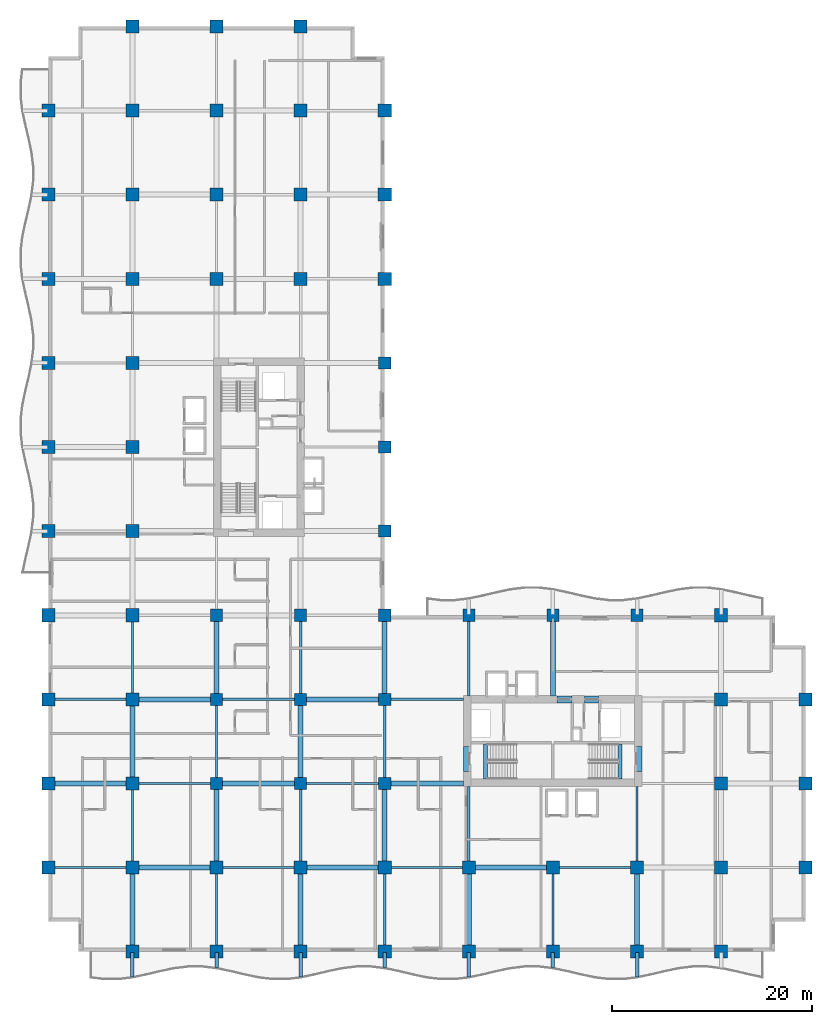
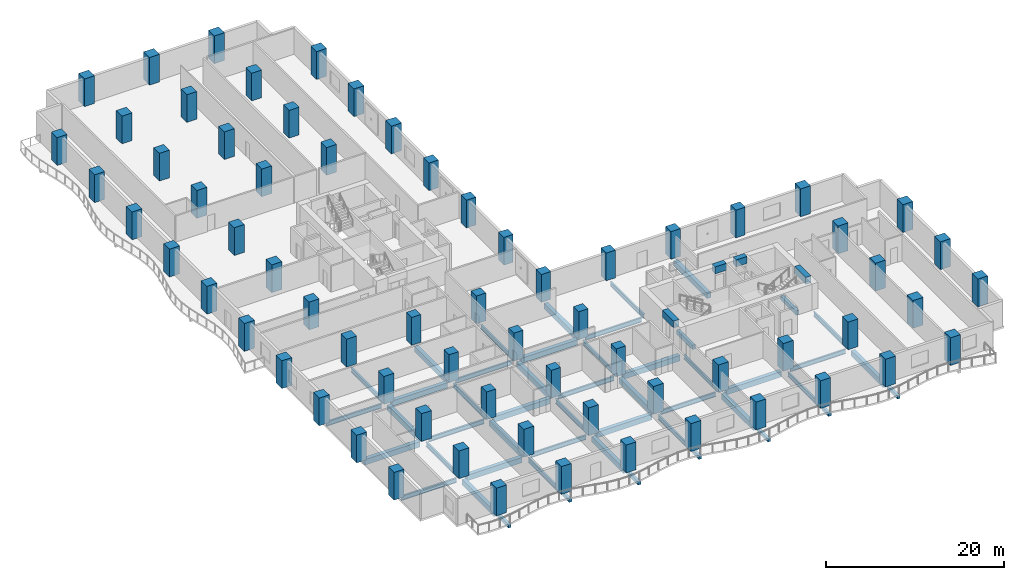
# One storey, part 1 of 18: 68 columns, 53 beams.
"""IFC4 building model written with IfcOpenShell, lengths in metres."""

import ifcopenshell
import ifcopenshell.guid

model = None  # the IFC model being written
_history = None  # IfcOwnerHistory: only IFC2X3 demands one
_inside = {}  # id of a spatial element -> (the spatial element, [elements in it])
_under = {}  # id of a project, library or spatial element -> (it, [spatial elements below it])
_declared = {}  # id of a project -> (the project, [libraries it declares])
_typed = {}  # id of a type object -> (the type object, [elements of that type])
_made_of = {}  # id of a material, layer set ... -> (it, [elements and type objects made of it])


def new_model(schema):
    """Start an empty IFC model of exactly this schema.

    Asked for "IFC4X3", IfcOpenShell would pick the latest addendum, in which some entities
    have other attributes; the version numbers below select the first issue.
    IFC2X3 requires an IfcOwnerHistory on every rooted entity: one is made here for all.
    """
    global model, _history
    if schema == "IFC4X3":
        model = ifcopenshell.file(schema_version=(4, 3, 0, 0))
    else:
        model = ifcopenshell.file(schema=schema)
    _inside.clear()
    _under.clear()
    _declared.clear()
    _typed.clear()
    _made_of.clear()
    _history = None
    if model.schema == "IFC2X3":
        org = make("IfcOrganization", Name="unknown")
        user = make(
            "IfcPersonAndOrganization",
            ThePerson=make("IfcPerson", FamilyName="unknown"),
            TheOrganization=org,
        )
        app = make(
            "IfcApplication",
            ApplicationDeveloper=org,
            Version="unknown",
            ApplicationFullName="unknown",
            ApplicationIdentifier="unknown",
        )
        _history = make(
            "IfcOwnerHistory",
            OwningUser=user,
            OwningApplication=app,
            ChangeAction="ADDED",
            CreationDate=0,
        )
    return model


def make(cls, **values):
    """One entity of the class cls with the attributes given. An attribute that is None is left unset."""
    return model.create_entity(
        cls, **{name: value for name, value in values.items() if value is not None}
    )


def rooted(cls, **values):
    """An entity with a GlobalId (a new one), such as an element, a storey or a relation."""
    return make(cls, GlobalId=ifcopenshell.guid.new(), OwnerHistory=_history, **values)


def si_unit(unit_type, name, prefix=None):
    """IfcSIUnit, for example si_unit("LENGTHUNIT", "METRE", prefix="MILLI")."""
    return make("IfcSIUnit", UnitType=unit_type, Prefix=prefix, Name=name)


def assignment(units):
    """IfcUnitAssignment: the units of a project."""
    return None if units is None else make("IfcUnitAssignment", Units=units)


def point(xyz):
    """IfcCartesianPoint."""
    return None if xyz is None else make("IfcCartesianPoint", Coordinates=xyz)


def direction(xyz):
    """IfcDirection."""
    return None if xyz is None else make("IfcDirection", DirectionRatios=xyz)


def frame(location, z_axis=None, x_axis=None):
    """IfcAxis2Placement3D, a coordinate frame: its origin and axes. An axis left out is left unset."""
    return make(
        "IfcAxis2Placement3D",
        Location=point(location),
        Axis=direction(z_axis),
        RefDirection=direction(x_axis),
    )


def frame_2d(location, x_axis=None):
    """IfcAxis2Placement2D, a coordinate frame in the plane: its origin and x axis."""
    return make(
        "IfcAxis2Placement2D", Location=point(location), RefDirection=direction(x_axis)
    )


def origin():
    """The frame at (0, 0, 0) with its axes left unset."""
    return frame((0.0, 0.0, 0.0))


def origin_2d():
    """The frame at (0, 0) in the plane with its x axis left unset."""
    return frame_2d((0.0, 0.0))


def place(relative_to, where):
    """IfcLocalPlacement: puts the frame where relative to a parent placement (None: the world)."""
    return make(
        "IfcLocalPlacement", PlacementRelTo=relative_to, RelativePlacement=where
    )


def context(
    kind, dimensions, precision=None, world=None, true_north=None, identifier=None
):
    """IfcGeometricRepresentationContext, for example the 3D "Model" context."""
    return make(
        "IfcGeometricRepresentationContext",
        ContextIdentifier=identifier,
        ContextType=kind,
        CoordinateSpaceDimension=dimensions,
        Precision=precision,
        WorldCoordinateSystem=world,
        TrueNorth=true_north,
    )


def subcontext(parent, identifier, kind, view, scale=None):
    """IfcGeometricRepresentationSubContext, for example "Body" below "Model"."""
    return make(
        "IfcGeometricRepresentationSubContext",
        ContextIdentifier=identifier,
        ContextType=kind,
        ParentContext=parent,
        TargetScale=scale,
        TargetView=view,
    )


def project(units=None, contexts=None):
    """IfcProject with its units and contexts."""
    return rooted(
        "IfcProject",
        Name="project",
        RepresentationContexts=contexts,
        UnitsInContext=assignment(units),
    )


def spatial(cls, under=None, at=None, **own):
    """A site, building, storey or space (cls), placed at a placement, below another one or the project."""
    s = rooted(cls, ObjectPlacement=at, **own)
    if under is not None:
        _under.setdefault(under.id(), (under, []))[1].append(s)
    return s


def profile(cls, at=None, kind="AREA", **sizes):
    """A parametric profile (cls). Its sizes go by their IFC names, for example OverallWidth=200.0."""
    return make(cls, ProfileType=kind, Position=at, **sizes)


def rectangle(**sizes):
    """IfcRectangleProfileDef."""
    return profile("IfcRectangleProfileDef", **sizes)


def i_section(**sizes):
    """IfcIShapeProfileDef."""
    return profile("IfcIShapeProfileDef", **sizes)


def extrude(swept, where, along, depth):
    """IfcExtrudedAreaSolid: the profile swept, set in the frame where, extruded along a direction by depth."""
    return make(
        "IfcExtrudedAreaSolid",
        SweptArea=swept,
        Position=where,
        ExtrudedDirection=direction(along),
        Depth=depth,
    )


def shape(context_of_items, identifier, shape_type, items):
    """IfcShapeRepresentation: the items that make up one representation, for example the "Body"."""
    return make(
        "IfcShapeRepresentation",
        ContextOfItems=context_of_items,
        RepresentationIdentifier=identifier,
        RepresentationType=shape_type,
        Items=items,
    )


def material(Name=None, Category=None):
    """IfcMaterial."""
    return make("IfcMaterial", Name=Name, Category=Category)


def material_profile(
    of_material, cross_section, Name=None, Category=None, Priority=None
):
    """IfcMaterialProfile: a cross section and its material."""
    return make(
        "IfcMaterialProfile",
        Name=Name,
        Material=of_material,
        Profile=cross_section,
        Priority=Priority,
        Category=Category,
    )


def profile_set(profiles, Name=None, composite=None):
    """IfcMaterialProfileSet."""
    return make(
        "IfcMaterialProfileSet",
        Name=Name,
        MaterialProfiles=profiles,
        CompositeProfile=composite,
    )


def made_of(thing, what):
    """Note that an element or type object is made of a material, layer set ...; save() writes the relation."""
    if what is not None:
        _made_of.setdefault(what.id(), (what, []))[1].append(thing)
    return thing


def type_object(cls, material=None, **own):
    """A type object (cls), such as IfcWallType, which elements share."""
    return made_of(rooted(cls, **own), material)


def element(
    cls,
    number,
    at=None,
    inside=None,
    cuts=None,
    type_object=None,
    material=None,
    context=None,
    identifier="Body",
    shape_type=None,
    held_by="IfcProductDefinitionShape",
    body=None,
    shapes=None,
    **own,
):
    """One element of the class cls, such as IfcWall. Its Tag is "e" and its number.

    at: its placement. inside: the storey or other place that contains it. cuts: it is an
    opening in that element (IfcRelVoidsElement). A single representation is given by context,
    identifier, shape_type and body (its items); several are given by shapes. held_by: the class
    of the entity that holds the representations. save() writes the other relations.
    """
    e = rooted(cls, Tag="e%d" % number, ObjectPlacement=at, **own)
    if body is not None:
        shapes = [shape(context, identifier, shape_type, body)]
    if shapes is not None:
        e.Representation = make(held_by, Representations=shapes)
    if inside is not None:
        _inside.setdefault(inside.id(), (inside, []))[1].append(e)
    if cuts is not None:
        rooted(
            "IfcRelVoidsElement", RelatingBuildingElement=cuts, RelatedOpeningElement=e
        )
    if type_object is not None:
        _typed.setdefault(type_object.id(), (type_object, []))[1].append(e)
    return made_of(e, material)


def aggregate(whole, parts):
    """IfcRelAggregates: a whole, such as a stair, and the parts it consists of."""
    return rooted("IfcRelAggregates", RelatingObject=whole, RelatedObjects=parts)


def save(model, path):
    """Write the relations noted so far, then the file.

    IfcRelAggregates (storeys below a building ...), IfcRelContainedInSpatialStructure (elements
    in a storey), IfcRelDefinesByType, IfcRelAssociatesMaterial and IfcRelDeclares: one each for
    every whole, place, type object, material and project.
    """
    for whole, parts in _under.values():
        aggregate(whole, parts)
    for where, things in _inside.values():
        rooted(
            "IfcRelContainedInSpatialStructure",
            RelatedElements=things,
            RelatingStructure=where,
        )
    for kind, things in _typed.values():
        rooted("IfcRelDefinesByType", RelatedObjects=things, RelatingType=kind)
    for what, things in _made_of.values():
        rooted("IfcRelAssociatesMaterial", RelatedObjects=things, RelatingMaterial=what)
    for by, libraries in _declared.values():
        rooted("IfcRelDeclares", RelatingContext=by, RelatedDefinitions=libraries)
    model.write(path)


model = new_model("IFC4")

# Units and contexts
model_context = context("Model", 3, precision=1e-05, world=origin(), true_north=direction((0.0, 1.0)))
body_context = subcontext(model_context, "Body", "Model", "MODEL_VIEW")
ifc_project = project(units=[si_unit("LENGTHUNIT", "METRE"), si_unit("AREAUNIT", "SQUARE_METRE"), si_unit("VOLUMEUNIT", "CUBIC_METRE"), si_unit("PLANEANGLEUNIT", "RADIAN"), si_unit("MASSUNIT", "GRAM", prefix="KILO")], contexts=[model_context])

# Site, building, storey
site_placement = place(None, origin())
site = spatial("IfcSite", under=ifc_project, at=site_placement, CompositionType="ELEMENT")
building_placement = place(site_placement, origin())
building = spatial("IfcBuilding", under=site, at=building_placement, Name="Koriwani Terraces Tower", CompositionType="ELEMENT")
storey_placement = place(building_placement, frame((0.0, 0.0, 115.199951171875)))
storey = spatial("IfcBuildingStorey", under=building, at=storey_placement, Name="L27", CompositionType="ELEMENT", Elevation=115.199951171875)

# Columns
ifc_material_1 = material(Name="Concrete C60/75", Category="concrete")
ifc_material_profile_1 = material_profile(ifc_material_1, rectangle(XDim=1.199951171875, YDim=1.199951171875, at=origin_2d()), Name="Concrete C60/75", Category="LoadBearing")
ifc_profile_set_1 = profile_set([ifc_material_profile_1], Name="Concrete C60/75")
column_type_1 = type_object("IfcColumnType", Name="COL_RC_1200X1200", PredefinedType="COLUMN", material=ifc_profile_set_1)
for number, where, z_axis, x_axis, name in (
    (1, (16.800048828125, 16.800048828125, 0.0), (0.0, 0.0, 1.0), (1.0, 0.0, 0.0), "L27 Column 3/C"),
    (2, (16.800048828125, 25.199951171875, 0.0), (0.0, 0.0, 1.0), (1.0, 0.0, 0.0), "L27 Column 3/D"),
    (3, (16.800048828125, 33.60009765625, 0.0), (0.0, 0.0, 1.0), (1.0, 0.0, 0.0), "L27 Column 3/E"),
    (4, (25.199951171875, 16.800048828125, 0.0), (0.0, 0.0, 1.0), (1.0, 0.0, 0.0), "L27 Column 4/C"),
    (5, (25.199951171875, 25.199951171875, 0.0), (0.0, 0.0, 1.0), (1.0, 0.0, 0.0), "L27 Column 4/D"),
    (6, (25.199951171875, 33.60009765625, 0.0), (0.0, 0.0, 1.0), (1.0, 0.0, 0.0), "L27 Column 4/E"),
    (7, (33.60009765625, 16.800048828125, 0.0), (0.0, 0.0, 1.0), (1.0, 0.0, 0.0), "L27 Column 5/C"),
    (8, (33.60009765625, 25.199951171875, 0.0), (0.0, 0.0, 1.0), (1.0, 0.0, 0.0), "L27 Column 5/D"),
    (9, (33.60009765625, 33.60009765625, 0.0), (0.0, 0.0, 1.0), (1.0, 0.0, 0.0), "L27 Column 5/E"),
    (10, (33.60009765625, 42.0, 0.0), (0.0, 0.0, 1.0), (1.0, 0.0, 0.0), "L27 Column 5/F"),
    (11, (33.60009765625, 50.39990234375, 0.0), (0.0, 0.0, 1.0), (1.0, 0.0, 0.0), "L27 Column 5/G"),
    (12, (33.60009765625, 58.800048828125, 0.0), (0.0, 0.0, 1.0), (1.0, 0.0, 0.0), "L27 Column 5/H"),
    (13, (42.0, 33.60009765625, 0.0), (0.0, 0.0, 1.0), (1.0, 0.0, 0.0), "L27 Column 6/E"),
    (14, (50.39990234375, 33.60009765625, 0.0), (0.0, 0.0, 1.0), (1.0, 0.0, 0.0), "L27 Column 7/E"),
    (15, (58.800048828125, 33.60009765625, 0.0), (0.0, 0.0, 1.0), (1.0, 0.0, 0.0), "L27 Column 8/E"),
):
    element("IfcColumn", number, at=place(storey_placement, frame(where, z_axis=z_axis, x_axis=x_axis)), inside=storey, type_object=column_type_1, Name=name, PredefinedType="COLUMN", context=body_context, shape_type="SweptSolid", body=[
        extrude(rectangle(XDim=1.199951171875, YDim=1.199951171875, at=origin_2d()), origin(), (0.0, 0.0, 1.0), 3.800048828125),
    ])
ifc_material_profile_2 = material_profile(ifc_material_1, rectangle(XDim=1.300048828125, YDim=1.300048828125, at=origin_2d()), Name="Concrete C60/75", Category="LoadBearing")
ifc_profile_set_2 = profile_set([ifc_material_profile_2], Name="Concrete C60/75")
column_type_2 = type_object("IfcColumnType", Name="COL_RC_1300X1300", PredefinedType="COLUMN", material=ifc_profile_set_2)
for number, where, z_axis, x_axis, name in (
    (16, (0.0, 8.39990234375, 0.0), (0.0, 0.0, 1.0), (1.0, 0.0, 0.0), "L27 Column 1/B"),
    (17, (0.0, 16.800048828125, 0.0), (0.0, 0.0, 1.0), (1.0, 0.0, 0.0), "L27 Column 1/C"),
    (18, (0.0, 25.199951171875, 0.0), (0.0, 0.0, 1.0), (1.0, 0.0, 0.0), "L27 Column 1/D"),
    (19, (0.0, 33.60009765625, 0.0), (0.0, 0.0, 1.0), (1.0, 0.0, 0.0), "L27 Column 1/E"),
    (20, (0.0, 42.0, 0.0), (0.0, 0.0, 1.0), (1.0, 0.0, 0.0), "L27 Column 1/F"),
    (21, (0.0, 50.39990234375, 0.0), (0.0, 0.0, 1.0), (1.0, 0.0, 0.0), "L27 Column 1/G"),
    (22, (0.0, 58.800048828125, 0.0), (0.0, 0.0, 1.0), (1.0, 0.0, 0.0), "L27 Column 1/H"),
    (23, (0.0, 67.199951171875, 0.0), (0.0, 0.0, 1.0), (1.0, 0.0, 0.0), "L27 Column 1/I"),
    (24, (0.0, 75.60009765625, 0.0), (0.0, 0.0, 1.0), (1.0, 0.0, 0.0), "L27 Column 1/J"),
    (25, (0.0, 84.0, 0.0), (0.0, 0.0, 1.0), (1.0, 0.0, 0.0), "L27 Column 1/K"),
    (26, (8.39990234375, 0.0, 0.0), (0.0, 0.0, 1.0), (1.0, 0.0, 0.0), "L27 Column 2/A"),
    (27, (8.39990234375, 8.39990234375, 0.0), (0.0, 0.0, 1.0), (1.0, 0.0, 0.0), "L27 Column 2/B"),
    (28, (8.39990234375, 16.800048828125, 0.0), (0.0, 0.0, 1.0), (1.0, 0.0, 0.0), "L27 Column 2/C"),
    (29, (8.39990234375, 25.199951171875, 0.0), (0.0, 0.0, 1.0), (1.0, 0.0, 0.0), "L27 Column 2/D"),
    (30, (8.39990234375, 33.60009765625, 0.0), (0.0, 0.0, 1.0), (1.0, 0.0, 0.0), "L27 Column 2/E"),
    (31, (8.39990234375, 42.0, 0.0), (0.0, 0.0, 1.0), (1.0, 0.0, 0.0), "L27 Column 2/F"),
    (32, (8.39990234375, 50.39990234375, 0.0), (0.0, 0.0, 1.0), (1.0, 0.0, 0.0), "L27 Column 2/G"),
    (33, (8.39990234375, 58.800048828125, 0.0), (0.0, 0.0, 1.0), (1.0, 0.0, 0.0), "L27 Column 2/H"),
    (34, (8.39990234375, 67.199951171875, 0.0), (0.0, 0.0, 1.0), (1.0, 0.0, 0.0), "L27 Column 2/I"),
    (35, (8.39990234375, 75.60009765625, 0.0), (0.0, 0.0, 1.0), (1.0, 0.0, 0.0), "L27 Column 2/J"),
    (36, (8.39990234375, 84.0, 0.0), (0.0, 0.0, 1.0), (1.0, 0.0, 0.0), "L27 Column 2/K"),
    (37, (8.39990234375, 92.39990234375, 0.0), (0.0, 0.0, 1.0), (1.0, 0.0, 0.0), "L27 Column 2/L"),
    (38, (16.800048828125, 0.0, 0.0), (0.0, 0.0, 1.0), (1.0, 0.0, 0.0), "L27 Column 3/A"),
    (39, (16.800048828125, 8.39990234375, 0.0), (0.0, 0.0, 1.0), (1.0, 0.0, 0.0), "L27 Column 3/B"),
    (40, (16.800048828125, 67.199951171875, 0.0), (0.0, 0.0, 1.0), (1.0, 0.0, 0.0), "L27 Column 3/I"),
    (41, (16.800048828125, 75.60009765625, 0.0), (0.0, 0.0, 1.0), (1.0, 0.0, 0.0), "L27 Column 3/J"),
    (42, (16.800048828125, 84.0, 0.0), (0.0, 0.0, 1.0), (1.0, 0.0, 0.0), "L27 Column 3/K"),
    (43, (16.800048828125, 92.39990234375, 0.0), (0.0, 0.0, 1.0), (1.0, 0.0, 0.0), "L27 Column 3/L"),
    (44, (25.199951171875, 0.0, 0.0), (0.0, 0.0, 1.0), (1.0, 0.0, 0.0), "L27 Column 4/A"),
    (45, (25.199951171875, 8.39990234375, 0.0), (0.0, 0.0, 1.0), (1.0, 0.0, 0.0), "L27 Column 4/B"),
    (46, (25.199951171875, 67.199951171875, 0.0), (0.0, 0.0, 1.0), (1.0, 0.0, 0.0), "L27 Column 4/I"),
    (47, (25.199951171875, 75.60009765625, 0.0), (0.0, 0.0, 1.0), (1.0, 0.0, 0.0), "L27 Column 4/J"),
    (48, (25.199951171875, 84.0, 0.0), (0.0, 0.0, 1.0), (1.0, 0.0, 0.0), "L27 Column 4/K"),
    (49, (25.199951171875, 92.39990234375, 0.0), (0.0, 0.0, 1.0), (1.0, 0.0, 0.0), "L27 Column 4/L"),
    (50, (33.60009765625, 0.0, 0.0), (0.0, 0.0, 1.0), (1.0, 0.0, 0.0), "L27 Column 5/A"),
    (51, (33.60009765625, 8.39990234375, 0.0), (0.0, 0.0, 1.0), (1.0, 0.0, 0.0), "L27 Column 5/B"),
    (52, (33.60009765625, 67.199951171875, 0.0), (0.0, 0.0, 1.0), (1.0, 0.0, 0.0), "L27 Column 5/I"),
    (53, (33.60009765625, 75.60009765625, 0.0), (0.0, 0.0, 1.0), (1.0, 0.0, 0.0), "L27 Column 5/J"),
    (54, (33.60009765625, 84.0, 0.0), (0.0, 0.0, 1.0), (1.0, 0.0, 0.0), "L27 Column 5/K"),
    (55, (42.0, 0.0, 0.0), (0.0, 0.0, 1.0), (1.0, 0.0, 0.0), "L27 Column 6/A"),
    (56, (42.0, 8.39990234375, 0.0), (0.0, 0.0, 1.0), (1.0, 0.0, 0.0), "L27 Column 6/B"),
    (57, (50.39990234375, 0.0, 0.0), (0.0, 0.0, 1.0), (1.0, 0.0, 0.0), "L27 Column 7/A"),
    (58, (50.39990234375, 8.39990234375, 0.0), (0.0, 0.0, 1.0), (1.0, 0.0, 0.0), "L27 Column 7/B"),
    (59, (58.800048828125, 0.0, 0.0), (0.0, 0.0, 1.0), (1.0, 0.0, 0.0), "L27 Column 8/A"),
    (60, (58.800048828125, 8.39990234375, 0.0), (0.0, 0.0, 1.0), (1.0, 0.0, 0.0), "L27 Column 8/B"),
    (61, (67.199951171875, 0.0, 0.0), (0.0, 0.0, 1.0), (1.0, 0.0, 0.0), "L27 Column 9/A"),
    (62, (67.199951171875, 8.39990234375, 0.0), (0.0, 0.0, 1.0), (1.0, 0.0, 0.0), "L27 Column 9/B"),
    (63, (67.199951171875, 16.800048828125, 0.0), (0.0, 0.0, 1.0), (1.0, 0.0, 0.0), "L27 Column 9/C"),
    (64, (67.199951171875, 25.199951171875, 0.0), (0.0, 0.0, 1.0), (1.0, 0.0, 0.0), "L27 Column 9/D"),
    (65, (67.199951171875, 33.60009765625, 0.0), (0.0, 0.0, 1.0), (1.0, 0.0, 0.0), "L27 Column 9/E"),
    (66, (75.60009765625, 8.39990234375, 0.0), (0.0, 0.0, 1.0), (1.0, 0.0, 0.0), "L27 Column 10/B"),
    (67, (75.60009765625, 16.800048828125, 0.0), (0.0, 0.0, 1.0), (1.0, 0.0, 0.0), "L27 Column 10/C"),
    (68, (75.60009765625, 25.199951171875, 0.0), (0.0, 0.0, 1.0), (1.0, 0.0, 0.0), "L27 Column 10/D"),
):
    element("IfcColumn", number, at=place(storey_placement, frame(where, z_axis=z_axis, x_axis=x_axis)), inside=storey, type_object=column_type_2, Name=name, PredefinedType="COLUMN", context=body_context, shape_type="SweptSolid", body=[
        extrude(rectangle(XDim=1.300048828125, YDim=1.300048828125, at=origin_2d()), origin(), (0.0, 0.0, 1.0), 3.800048828125),
    ])

# Beams
ifc_material_2 = material(Name="Concrete C40/50", Category="concrete")
ifc_material_profile_3 = material_profile(ifc_material_2, rectangle(XDim=0.35009765625, YDim=0.449951171875, at=origin_2d()), Name="Concrete C40/50", Category="LoadBearing")
ifc_profile_set_3 = profile_set([ifc_material_profile_3], Name="Concrete C40/50")
beam_type_1 = type_object("IfcBeamType", Name="BEAM_RC_BALCONY_RIB_350X450", PredefinedType="JOIST", material=ifc_profile_set_3)
beam_1_placement = place(storey_placement, frame((8.39990234375, -2.509521484375, -0.474853515625), z_axis=(0.0, 1.0, 0.0), x_axis=(-1.0, 0.0, 0.0)))
element("IfcBeam", 69, at=beam_1_placement, inside=storey, type_object=beam_type_1, Name="L27 Balcony Bracket Rib S-1", PredefinedType="JOIST", context=body_context, shape_type="SweptSolid", body=[
    extrude(rectangle(XDim=0.35009765625, YDim=0.449951171875, at=origin_2d()), origin(), (0.0, 0.0, 1.0), 2.409423828125),
])
beam_2_placement = place(storey_placement, frame((16.800048828125, -1.59033203125, -0.474853515625), z_axis=(0.0, 1.0, 0.0), x_axis=(-1.0, 0.0, 0.0)))
element("IfcBeam", 70, at=beam_2_placement, inside=storey, type_object=beam_type_1, Name="L27 Balcony Bracket Rib S-2", PredefinedType="JOIST", context=body_context, shape_type="SweptSolid", body=[
    extrude(rectangle(XDim=0.35009765625, YDim=0.449951171875, at=origin_2d()), origin(), (0.0, 0.0, 1.0), 1.490234375),
])
beam_3_placement = place(storey_placement, frame((25.199951171875, -2.509521484375, -0.474853515625), z_axis=(0.0, 1.0, 0.0), x_axis=(-1.0, 0.0, 0.0)))
element("IfcBeam", 71, at=beam_3_placement, inside=storey, type_object=beam_type_1, Name="L27 Balcony Bracket Rib S-3", PredefinedType="JOIST", context=body_context, shape_type="SweptSolid", body=[
    extrude(rectangle(XDim=0.35009765625, YDim=0.449951171875, at=origin_2d()), origin(), (0.0, 0.0, 1.0), 2.409423828125),
])
beam_4_placement = place(storey_placement, frame((33.60009765625, -1.59033203125, -0.474853515625), z_axis=(0.0, 1.0, 0.0), x_axis=(-1.0, 0.0, 0.0)))
element("IfcBeam", 72, at=beam_4_placement, inside=storey, type_object=beam_type_1, Name="L27 Balcony Bracket Rib S-4", PredefinedType="JOIST", context=body_context, shape_type="SweptSolid", body=[
    extrude(rectangle(XDim=0.35009765625, YDim=0.449951171875, at=origin_2d()), origin(), (0.0, 0.0, 1.0), 1.490234375),
])
beam_5_placement = place(storey_placement, frame((42.0, -2.509521484375, -0.474853515625), z_axis=(0.0, 1.0, 0.0), x_axis=(-1.0, 0.0, 0.0)))
element("IfcBeam", 73, at=beam_5_placement, inside=storey, type_object=beam_type_1, Name="L27 Balcony Bracket Rib S-5", PredefinedType="JOIST", context=body_context, shape_type="SweptSolid", body=[
    extrude(rectangle(XDim=0.35009765625, YDim=0.449951171875, at=origin_2d()), origin(), (0.0, 0.0, 1.0), 2.409423828125),
])
beam_6_placement = place(storey_placement, frame((50.39990234375, -1.59033203125, -0.474853515625), z_axis=(0.0, 1.0, 0.0), x_axis=(-1.0, 0.0, 0.0)))
element("IfcBeam", 74, at=beam_6_placement, inside=storey, type_object=beam_type_1, Name="L27 Balcony Bracket Rib S-6", PredefinedType="JOIST", context=body_context, shape_type="SweptSolid", body=[
    extrude(rectangle(XDim=0.35009765625, YDim=0.449951171875, at=origin_2d()), origin(), (0.0, 0.0, 1.0), 1.490234375),
])
beam_7_placement = place(storey_placement, frame((58.800048828125, -2.509521484375, -0.474853515625), z_axis=(0.0, 1.0, 0.0), x_axis=(-1.0, 0.0, 0.0)))
element("IfcBeam", 75, at=beam_7_placement, inside=storey, type_object=beam_type_1, Name="L27 Balcony Bracket Rib S-7", PredefinedType="JOIST", context=body_context, shape_type="SweptSolid", body=[
    extrude(rectangle(XDim=0.35009765625, YDim=0.449951171875, at=origin_2d()), origin(), (0.0, 0.0, 1.0), 2.409423828125),
])
ifc_material_profile_4 = material_profile(ifc_material_1, rectangle(XDim=0.699951171875, YDim=0.949951171875, at=origin_2d()), Name="Concrete C60/75", Category="LoadBearing")
ifc_profile_set_4 = profile_set([ifc_material_profile_4], Name="Concrete C60/75")
beam_type_2 = type_object("IfcBeamType", Name="BEAM_RC_COUPLING_700X950", PredefinedType="LINTEL", material=ifc_profile_set_4)
beam_8_placement = place(storey_placement, frame((50.800048828125, 25.199951171875, 3.074951171875), z_axis=(1.0, 0.0, 0.0), x_axis=(0.0, 1.0, 0.0)))
element("IfcBeam", 76, at=beam_8_placement, inside=storey, type_object=beam_type_2, Name="L27 Core Coupling Lintel Beam EN1", PredefinedType="LINTEL", context=body_context, shape_type="SweptSolid", body=[
    extrude(rectangle(XDim=0.699951171875, YDim=0.949951171875, at=origin_2d()), origin(), (0.0, 0.0, 1.0), 1.47998046875),
])
beam_9_placement = place(storey_placement, frame((53.550048828125, 25.199951171875, 3.074951171875), z_axis=(1.0, 0.0, 0.0), x_axis=(0.0, 1.0, 0.0)))
element("IfcBeam", 77, at=beam_9_placement, inside=storey, type_object=beam_type_2, Name="L27 Core Coupling Lintel Beam EN2", PredefinedType="LINTEL", context=body_context, shape_type="SweptSolid", body=[
    extrude(rectangle(XDim=0.699951171875, YDim=0.949951171875, at=origin_2d()), origin(), (0.0, 0.0, 1.0), 1.39990234375),
])
for number, where, z_axis, x_axis, name in (
    (78, (41.824951171875, 18.0, 3.074951171875), (0.0, 1.0, 0.0), (-1.0, 0.0, 0.0), "L27 Core Coupling Lintel Beam EW"),
    (79, (58.925048828125, 18.0, 3.074951171875), (0.0, 1.0, 0.0), (-1.0, 0.0, 0.0), "L27 Core Coupling Lintel Beam EE"),
):
    element("IfcBeam", number, at=place(storey_placement, frame(where, z_axis=z_axis, x_axis=x_axis)), inside=storey, type_object=beam_type_2, Name=name, PredefinedType="LINTEL", context=body_context, shape_type="SweptSolid", body=[
        extrude(rectangle(XDim=0.699951171875, YDim=0.949951171875, at=origin_2d()), origin(), (0.0, 0.0, 1.0), 2.5),
    ])
ifc_material_profile_5 = material_profile(ifc_material_2, rectangle(XDim=0.39990234375, YDim=0.60009765625, at=origin_2d()), Name="Concrete C40/50", Category="LoadBearing")
ifc_profile_set_5 = profile_set([ifc_material_profile_5], Name="Concrete C40/50")
beam_type_3 = type_object("IfcBeamType", Name="BEAM_RC_GRID_400X600", PredefinedType="BEAM", material=ifc_profile_set_5)
for number, where, z_axis, x_axis, name in (
    (80, (43.655029296875, 17.25, -0.300048828125), (0.0, 1.0, 0.0), (-1.0, 0.0, 0.0), "L27 Stairwell Header Trimmer Beam ST-E1"),
    (81, (57.094970703125, 17.25, -0.300048828125), (0.0, 1.0, 0.0), (-1.0, 0.0, 0.0), "L27 Stairwell Header Trimmer Beam ST-E2"),
):
    element("IfcBeam", number, at=place(storey_placement, frame(where, z_axis=z_axis, x_axis=x_axis)), inside=storey, type_object=beam_type_3, Name=name, PredefinedType="BEAM", context=body_context, shape_type="SweptSolid", body=[
        extrude(rectangle(XDim=0.39990234375, YDim=0.60009765625, at=origin_2d()), origin(), (0.0, 0.0, 1.0), 3.5),
    ])
ifc_material_3 = material(Name="Concrete C50/60", Category="concrete")
ifc_material_profile_6 = material_profile(ifc_material_3, rectangle(XDim=0.5, YDim=0.75, at=origin_2d()), Name="Concrete C50/60", Category="LoadBearing")
ifc_profile_set_6 = profile_set([ifc_material_profile_6], Name="Concrete C50/60")
beam_type_4 = type_object("IfcBeamType", Name="BEAM_RC_GRID_500X750", PredefinedType="BEAM", material=ifc_profile_set_6)
for number, where, z_axis, x_axis, name in (
    (82, (9.030029296875, 8.39990234375, -0.625), (1.0, 0.0, 0.0), (0.0, 1.0, 0.0), "L27 Grid Beam B (8.4-16.8m)"),
    (83, (25.830078125, 8.39990234375, -0.625), (1.0, 0.0, 0.0), (0.0, 1.0, 0.0), "L27 Grid Beam B (25.2-33.6m)"),
):
    element("IfcBeam", number, at=place(storey_placement, frame(where, z_axis=z_axis, x_axis=x_axis)), inside=storey, type_object=beam_type_4, Name=name, PredefinedType="BEAM", context=body_context, shape_type="SweptSolid", body=[
        extrude(rectangle(XDim=0.5, YDim=0.75, at=origin_2d()), origin(), (0.0, 0.0, 1.0), 7.139892578125),
    ])
for number, where, z_axis, x_axis, name in (
    (84, (42.6298828125, 8.39990234375, -0.625), (1.0, 0.0, 0.0), (0.0, 1.0, 0.0), "L27 Grid Beam B (42.0-50.4m)"),
    (85, (0.6298828125, 16.800048828125, -0.625), (1.0, 0.0, 0.0), (0.0, 1.0, 0.0), "L27 Grid Beam C (0.0-8.4m)"),
):
    element("IfcBeam", number, at=place(storey_placement, frame(where, z_axis=z_axis, x_axis=x_axis)), inside=storey, type_object=beam_type_4, Name=name, PredefinedType="BEAM", context=body_context, shape_type="SweptSolid", body=[
        extrude(rectangle(XDim=0.5, YDim=0.75, at=origin_2d()), origin(), (0.0, 0.0, 1.0), 7.14013671875),
    ])
beam_10_placement = place(storey_placement, frame((17.3798828125, 16.800048828125, -0.625), z_axis=(1.0, 0.0, 0.0), x_axis=(0.0, 1.0, 0.0)))
element("IfcBeam", 86, at=beam_10_placement, inside=storey, type_object=beam_type_4, Name="L27 Grid Beam C (16.8-25.2m)", PredefinedType="BEAM", context=body_context, shape_type="SweptSolid", body=[
    extrude(rectangle(XDim=0.5, YDim=0.75, at=origin_2d()), origin(), (0.0, 0.0, 1.0), 7.240234375),
])
beam_11_placement = place(storey_placement, frame((34.179931640625, 16.800048828125, -0.625), z_axis=(1.0, 0.0, 0.0), x_axis=(0.0, 1.0, 0.0)))
element("IfcBeam", 87, at=beam_11_placement, inside=storey, type_object=beam_type_4, Name="L27 Grid Beam C (33.6-42.0m)", PredefinedType="BEAM", context=body_context, shape_type="SweptSolid", body=[
    extrude(rectangle(XDim=0.5, YDim=0.75, at=origin_2d()), origin(), (0.0, 0.0, 1.0), 7.2900390625),
])
beam_12_placement = place(storey_placement, frame((9.030029296875, 25.199951171875, -0.625), z_axis=(1.0, 0.0, 0.0), x_axis=(0.0, 1.0, 0.0)))
element("IfcBeam", 88, at=beam_12_placement, inside=storey, type_object=beam_type_4, Name="L27 Grid Beam D (8.4-16.8m)", PredefinedType="BEAM", context=body_context, shape_type="SweptSolid", body=[
    extrude(rectangle(XDim=0.5, YDim=0.75, at=origin_2d()), origin(), (0.0, 0.0, 1.0), 7.18994140625),
])
beam_13_placement = place(storey_placement, frame((25.780029296875, 25.199951171875, -0.625), z_axis=(1.0, 0.0, 0.0), x_axis=(0.0, 1.0, 0.0)))
element("IfcBeam", 89, at=beam_13_placement, inside=storey, type_object=beam_type_4, Name="L27 Grid Beam D (25.2-33.6m)", PredefinedType="BEAM", context=body_context, shape_type="SweptSolid", body=[
    extrude(rectangle(XDim=0.5, YDim=0.75, at=origin_2d()), origin(), (0.0, 0.0, 1.0), 7.239990234375),
])
for number, where, z_axis, x_axis, name in (
    (90, (8.39990234375, 0.6298828125, -0.625), (0.0, 1.0, 0.0), (-1.0, 0.0, 0.0), "L27 Grid Beam 2 (0.0-8.4m)"),
    (91, (8.39990234375, 17.429931640625, -0.625), (0.0, 1.0, 0.0), (-1.0, 0.0, 0.0), "L27 Grid Beam 2 (16.8-25.2m)"),
):
    element("IfcBeam", number, at=place(storey_placement, frame(where, z_axis=z_axis, x_axis=x_axis)), inside=storey, type_object=beam_type_4, Name=name, PredefinedType="BEAM", context=body_context, shape_type="SweptSolid", body=[
        extrude(rectangle(XDim=0.5, YDim=0.75, at=origin_2d()), origin(), (0.0, 0.0, 1.0), 7.14013671875),
    ])
beam_14_placement = place(storey_placement, frame((16.800048828125, 9.030029296875, -0.625), z_axis=(0.0, 1.0, 0.0), x_axis=(-1.0, 0.0, 0.0)))
element("IfcBeam", 92, at=beam_14_placement, inside=storey, type_object=beam_type_4, Name="L27 Grid Beam 3 (8.4-16.8m)", PredefinedType="BEAM", context=body_context, shape_type="SweptSolid", body=[
    extrude(rectangle(XDim=0.5, YDim=0.75, at=origin_2d()), origin(), (0.0, 0.0, 1.0), 7.18994140625),
])
beam_15_placement = place(storey_placement, frame((16.800048828125, 25.780029296875, -0.625), z_axis=(0.0, 1.0, 0.0), x_axis=(-1.0, 0.0, 0.0)))
element("IfcBeam", 93, at=beam_15_placement, inside=storey, type_object=beam_type_4, Name="L27 Grid Beam 3 (25.2-33.6m)", PredefinedType="BEAM", context=body_context, shape_type="SweptSolid", body=[
    extrude(rectangle(XDim=0.5, YDim=0.75, at=origin_2d()), origin(), (0.0, 0.0, 1.0), 7.239990234375),
])
beam_16_placement = place(storey_placement, frame((25.199951171875, 0.6298828125, -0.625), z_axis=(0.0, 1.0, 0.0), x_axis=(-1.0, 0.0, 0.0)))
element("IfcBeam", 94, at=beam_16_placement, inside=storey, type_object=beam_type_4, Name="L27 Grid Beam 4 (0.0-8.4m)", PredefinedType="BEAM", context=body_context, shape_type="SweptSolid", body=[
    extrude(rectangle(XDim=0.5, YDim=0.75, at=origin_2d()), origin(), (0.0, 0.0, 1.0), 7.14013671875),
])
beam_17_placement = place(storey_placement, frame((25.199951171875, 17.3798828125, -0.625), z_axis=(0.0, 1.0, 0.0), x_axis=(-1.0, 0.0, 0.0)))
element("IfcBeam", 95, at=beam_17_placement, inside=storey, type_object=beam_type_4, Name="L27 Grid Beam 4 (16.8-25.2m)", PredefinedType="BEAM", context=body_context, shape_type="SweptSolid", body=[
    extrude(rectangle(XDim=0.5, YDim=0.75, at=origin_2d()), origin(), (0.0, 0.0, 1.0), 7.240234375),
])
beam_18_placement = place(storey_placement, frame((33.60009765625, 9.030029296875, -0.625), z_axis=(0.0, 1.0, 0.0), x_axis=(-1.0, 0.0, 0.0)))
element("IfcBeam", 96, at=beam_18_placement, inside=storey, type_object=beam_type_4, Name="L27 Grid Beam 5 (8.4-16.8m)", PredefinedType="BEAM", context=body_context, shape_type="SweptSolid", body=[
    extrude(rectangle(XDim=0.5, YDim=0.75, at=origin_2d()), origin(), (0.0, 0.0, 1.0), 7.18994140625),
])
beam_19_placement = place(storey_placement, frame((33.60009765625, 25.780029296875, -0.625), z_axis=(0.0, 1.0, 0.0), x_axis=(-1.0, 0.0, 0.0)))
element("IfcBeam", 97, at=beam_19_placement, inside=storey, type_object=beam_type_4, Name="L27 Grid Beam 5 (25.2-33.6m)", PredefinedType="BEAM", context=body_context, shape_type="SweptSolid", body=[
    extrude(rectangle(XDim=0.5, YDim=0.75, at=origin_2d()), origin(), (0.0, 0.0, 1.0), 7.239990234375),
])
beam_20_placement = place(storey_placement, frame((42.0, 0.6298828125, -0.625), z_axis=(0.0, 1.0, 0.0), x_axis=(-1.0, 0.0, 0.0)))
element("IfcBeam", 98, at=beam_20_placement, inside=storey, type_object=beam_type_4, Name="L27 Grid Beam 6 (0.0-8.4m)", PredefinedType="BEAM", context=body_context, shape_type="SweptSolid", body=[
    extrude(rectangle(XDim=0.5, YDim=0.75, at=origin_2d()), origin(), (0.0, 0.0, 1.0), 7.14013671875),
])
beam_21_placement = place(storey_placement, frame((50.39990234375, 25.554931640625, -0.625), z_axis=(0.0, 1.0, 0.0), x_axis=(-1.0, 0.0, 0.0)))
element("IfcBeam", 99, at=beam_21_placement, inside=storey, type_object=beam_type_4, Name="L27 Grid Beam 7 (25.2-33.6m)", PredefinedType="BEAM", context=body_context, shape_type="SweptSolid", body=[
    extrude(rectangle(XDim=0.5, YDim=0.75, at=origin_2d()), origin(), (0.0, 0.0, 1.0), 7.465087890625),
])
beam_22_placement = place(storey_placement, frame((58.800048828125, 0.6298828125, -0.625), z_axis=(0.0, 1.0, 0.0), x_axis=(-1.0, 0.0, 0.0)))
element("IfcBeam", 100, at=beam_22_placement, inside=storey, type_object=beam_type_4, Name="L27 Grid Beam 8 (0.0-8.4m)", PredefinedType="BEAM", context=body_context, shape_type="SweptSolid", body=[
    extrude(rectangle(XDim=0.5, YDim=0.75, at=origin_2d()), origin(), (0.0, 0.0, 1.0), 7.14013671875),
])
ifc_material_4 = material(Name="Steel ASTM A572 Grade 50", Category="steel")
ifc_material_profile_7 = material_profile(ifc_material_4, i_section(OverallWidth=0.22900390625, OverallDepth=0.611083984375, WebThickness=0.0126953125, FlangeThickness=0.022216796875, at=origin_2d()), Name="Steel ASTM A572 Grade 50", Category="LoadBearing")
ifc_profile_set_7 = profile_set([ifc_material_profile_7], Name="Steel ASTM A572 Grade 50")
beam_type_5 = type_object("IfcBeamType", Name="STEEL_BEAM_W610X155", PredefinedType="BEAM", material=ifc_profile_set_7)
for number, where, z_axis, x_axis, name in (
    (101, (0.6298828125, 8.39990234375, -0.555419921875), (1.0, 0.0, 0.0), (0.0, 1.0, 0.0), "L27 Grid Beam B (0.0-8.4m)"),
    (102, (17.429931640625, 8.39990234375, -0.555419921875), (1.0, 0.0, 0.0), (0.0, 1.0, 0.0), "L27 Grid Beam B (16.8-25.2m)"),
    (103, (34.22998046875, 8.39990234375, -0.555419921875), (1.0, 0.0, 0.0), (0.0, 1.0, 0.0), "L27 Grid Beam B (33.6-42.0m)"),
):
    element("IfcBeam", number, at=place(storey_placement, frame(where, z_axis=z_axis, x_axis=x_axis)), inside=storey, type_object=beam_type_5, Name=name, PredefinedType="BEAM", context=body_context, shape_type="SweptSolid", body=[
        extrude(i_section(OverallWidth=0.22900390625, OverallDepth=0.611083984375, WebThickness=0.0126953125, FlangeThickness=0.022216796875, at=origin_2d()), origin(), (0.0, 0.0, 1.0), 7.14013671875),
    ])
beam_23_placement = place(storey_placement, frame((51.030029296875, 8.39990234375, -0.555419921875), z_axis=(1.0, 0.0, 0.0), x_axis=(0.0, 1.0, 0.0)))
element("IfcBeam", 104, at=beam_23_placement, inside=storey, type_object=beam_type_5, Name="L27 Grid Beam B (50.4-58.8m)", PredefinedType="BEAM", context=body_context, shape_type="SweptSolid", body=[
    extrude(i_section(OverallWidth=0.22900390625, OverallDepth=0.611083984375, WebThickness=0.0126953125, FlangeThickness=0.022216796875, at=origin_2d()), origin(), (0.0, 0.0, 1.0), 7.139892578125),
])
beam_24_placement = place(storey_placement, frame((9.030029296875, 16.800048828125, -0.555419921875), z_axis=(1.0, 0.0, 0.0), x_axis=(0.0, 1.0, 0.0)))
element("IfcBeam", 105, at=beam_24_placement, inside=storey, type_object=beam_type_5, Name="L27 Grid Beam C (8.4-16.8m)", PredefinedType="BEAM", context=body_context, shape_type="SweptSolid", body=[
    extrude(i_section(OverallWidth=0.22900390625, OverallDepth=0.611083984375, WebThickness=0.0126953125, FlangeThickness=0.022216796875, at=origin_2d()), origin(), (0.0, 0.0, 1.0), 7.18994140625),
])
beam_25_placement = place(storey_placement, frame((25.780029296875, 16.800048828125, -0.555419921875), z_axis=(1.0, 0.0, 0.0), x_axis=(0.0, 1.0, 0.0)))
element("IfcBeam", 106, at=beam_25_placement, inside=storey, type_object=beam_type_5, Name="L27 Grid Beam C (25.2-33.6m)", PredefinedType="BEAM", context=body_context, shape_type="SweptSolid", body=[
    extrude(i_section(OverallWidth=0.22900390625, OverallDepth=0.611083984375, WebThickness=0.0126953125, FlangeThickness=0.022216796875, at=origin_2d()), origin(), (0.0, 0.0, 1.0), 7.239990234375),
])
beam_26_placement = place(storey_placement, frame((0.6298828125, 25.199951171875, -0.555419921875), z_axis=(1.0, 0.0, 0.0), x_axis=(0.0, 1.0, 0.0)))
element("IfcBeam", 107, at=beam_26_placement, inside=storey, type_object=beam_type_5, Name="L27 Grid Beam D (0.0-8.4m)", PredefinedType="BEAM", context=body_context, shape_type="SweptSolid", body=[
    extrude(i_section(OverallWidth=0.22900390625, OverallDepth=0.611083984375, WebThickness=0.0126953125, FlangeThickness=0.022216796875, at=origin_2d()), origin(), (0.0, 0.0, 1.0), 7.14013671875),
])
beam_27_placement = place(storey_placement, frame((17.3798828125, 25.199951171875, -0.555419921875), z_axis=(1.0, 0.0, 0.0), x_axis=(0.0, 1.0, 0.0)))
element("IfcBeam", 108, at=beam_27_placement, inside=storey, type_object=beam_type_5, Name="L27 Grid Beam D (16.8-25.2m)", PredefinedType="BEAM", context=body_context, shape_type="SweptSolid", body=[
    extrude(i_section(OverallWidth=0.22900390625, OverallDepth=0.611083984375, WebThickness=0.0126953125, FlangeThickness=0.022216796875, at=origin_2d()), origin(), (0.0, 0.0, 1.0), 7.240234375),
])
beam_28_placement = place(storey_placement, frame((34.179931640625, 25.199951171875, -0.555419921875), z_axis=(1.0, 0.0, 0.0), x_axis=(0.0, 1.0, 0.0)))
element("IfcBeam", 109, at=beam_28_placement, inside=storey, type_object=beam_type_5, Name="L27 Grid Beam D (33.6-42.0m)", PredefinedType="BEAM", context=body_context, shape_type="SweptSolid", body=[
    extrude(i_section(OverallWidth=0.22900390625, OverallDepth=0.611083984375, WebThickness=0.0126953125, FlangeThickness=0.022216796875, at=origin_2d()), origin(), (0.0, 0.0, 1.0), 7.2900390625),
])
for number, where, z_axis, x_axis, name in (
    (110, (8.39990234375, 9.030029296875, -0.555419921875), (0.0, 1.0, 0.0), (-1.0, 0.0, 0.0), "L27 Grid Beam 2 (8.4-16.8m)"),
    (111, (8.39990234375, 25.830078125, -0.555419921875), (0.0, 1.0, 0.0), (-1.0, 0.0, 0.0), "L27 Grid Beam 2 (25.2-33.6m)"),
):
    element("IfcBeam", number, at=place(storey_placement, frame(where, z_axis=z_axis, x_axis=x_axis)), inside=storey, type_object=beam_type_5, Name=name, PredefinedType="BEAM", context=body_context, shape_type="SweptSolid", body=[
        extrude(i_section(OverallWidth=0.22900390625, OverallDepth=0.611083984375, WebThickness=0.0126953125, FlangeThickness=0.022216796875, at=origin_2d()), origin(), (0.0, 0.0, 1.0), 7.139892578125),
    ])
beam_29_placement = place(storey_placement, frame((16.800048828125, 0.6298828125, -0.555419921875), z_axis=(0.0, 1.0, 0.0), x_axis=(-1.0, 0.0, 0.0)))
element("IfcBeam", 112, at=beam_29_placement, inside=storey, type_object=beam_type_5, Name="L27 Grid Beam 3 (0.0-8.4m)", PredefinedType="BEAM", context=body_context, shape_type="SweptSolid", body=[
    extrude(i_section(OverallWidth=0.22900390625, OverallDepth=0.611083984375, WebThickness=0.0126953125, FlangeThickness=0.022216796875, at=origin_2d()), origin(), (0.0, 0.0, 1.0), 7.14013671875),
])
beam_30_placement = place(storey_placement, frame((16.800048828125, 17.3798828125, -0.555419921875), z_axis=(0.0, 1.0, 0.0), x_axis=(-1.0, 0.0, 0.0)))
element("IfcBeam", 113, at=beam_30_placement, inside=storey, type_object=beam_type_5, Name="L27 Grid Beam 3 (16.8-25.2m)", PredefinedType="BEAM", context=body_context, shape_type="SweptSolid", body=[
    extrude(i_section(OverallWidth=0.22900390625, OverallDepth=0.611083984375, WebThickness=0.0126953125, FlangeThickness=0.022216796875, at=origin_2d()), origin(), (0.0, 0.0, 1.0), 7.240234375),
])
beam_31_placement = place(storey_placement, frame((25.199951171875, 9.030029296875, -0.555419921875), z_axis=(0.0, 1.0, 0.0), x_axis=(-1.0, 0.0, 0.0)))
element("IfcBeam", 114, at=beam_31_placement, inside=storey, type_object=beam_type_5, Name="L27 Grid Beam 4 (8.4-16.8m)", PredefinedType="BEAM", context=body_context, shape_type="SweptSolid", body=[
    extrude(i_section(OverallWidth=0.22900390625, OverallDepth=0.611083984375, WebThickness=0.0126953125, FlangeThickness=0.022216796875, at=origin_2d()), origin(), (0.0, 0.0, 1.0), 7.18994140625),
])
beam_32_placement = place(storey_placement, frame((25.199951171875, 25.780029296875, -0.555419921875), z_axis=(0.0, 1.0, 0.0), x_axis=(-1.0, 0.0, 0.0)))
element("IfcBeam", 115, at=beam_32_placement, inside=storey, type_object=beam_type_5, Name="L27 Grid Beam 4 (25.2-33.6m)", PredefinedType="BEAM", context=body_context, shape_type="SweptSolid", body=[
    extrude(i_section(OverallWidth=0.22900390625, OverallDepth=0.611083984375, WebThickness=0.0126953125, FlangeThickness=0.022216796875, at=origin_2d()), origin(), (0.0, 0.0, 1.0), 7.239990234375),
])
beam_33_placement = place(storey_placement, frame((33.60009765625, 0.6298828125, -0.555419921875), z_axis=(0.0, 1.0, 0.0), x_axis=(-1.0, 0.0, 0.0)))
element("IfcBeam", 116, at=beam_33_placement, inside=storey, type_object=beam_type_5, Name="L27 Grid Beam 5 (0.0-8.4m)", PredefinedType="BEAM", context=body_context, shape_type="SweptSolid", body=[
    extrude(i_section(OverallWidth=0.22900390625, OverallDepth=0.611083984375, WebThickness=0.0126953125, FlangeThickness=0.022216796875, at=origin_2d()), origin(), (0.0, 0.0, 1.0), 7.14013671875),
])
beam_34_placement = place(storey_placement, frame((33.60009765625, 17.3798828125, -0.555419921875), z_axis=(0.0, 1.0, 0.0), x_axis=(-1.0, 0.0, 0.0)))
element("IfcBeam", 117, at=beam_34_placement, inside=storey, type_object=beam_type_5, Name="L27 Grid Beam 5 (16.8-25.2m)", PredefinedType="BEAM", context=body_context, shape_type="SweptSolid", body=[
    extrude(i_section(OverallWidth=0.22900390625, OverallDepth=0.611083984375, WebThickness=0.0126953125, FlangeThickness=0.022216796875, at=origin_2d()), origin(), (0.0, 0.0, 1.0), 7.240234375),
])
beam_35_placement = place(storey_placement, frame((42.0, 9.030029296875, -0.555419921875), z_axis=(0.0, 1.0, 0.0), x_axis=(-1.0, 0.0, 0.0)))
element("IfcBeam", 118, at=beam_35_placement, inside=storey, type_object=beam_type_5, Name="L27 Grid Beam 6 (8.4-16.8m)", PredefinedType="BEAM", context=body_context, shape_type="SweptSolid", body=[
    extrude(i_section(OverallWidth=0.22900390625, OverallDepth=0.611083984375, WebThickness=0.0126953125, FlangeThickness=0.022216796875, at=origin_2d()), origin(), (0.0, 0.0, 1.0), 7.489990234375),
])
beam_36_placement = place(storey_placement, frame((42.0, 25.554931640625, -0.555419921875), z_axis=(0.0, 1.0, 0.0), x_axis=(-1.0, 0.0, 0.0)))
element("IfcBeam", 119, at=beam_36_placement, inside=storey, type_object=beam_type_5, Name="L27 Grid Beam 6 (25.2-33.6m)", PredefinedType="BEAM", context=body_context, shape_type="SweptSolid", body=[
    extrude(i_section(OverallWidth=0.22900390625, OverallDepth=0.611083984375, WebThickness=0.0126953125, FlangeThickness=0.022216796875, at=origin_2d()), origin(), (0.0, 0.0, 1.0), 7.465087890625),
])
beam_37_placement = place(storey_placement, frame((50.39990234375, 0.6298828125, -0.555419921875), z_axis=(0.0, 1.0, 0.0), x_axis=(-1.0, 0.0, 0.0)))
element("IfcBeam", 120, at=beam_37_placement, inside=storey, type_object=beam_type_5, Name="L27 Grid Beam 7 (0.0-8.4m)", PredefinedType="BEAM", context=body_context, shape_type="SweptSolid", body=[
    extrude(i_section(OverallWidth=0.22900390625, OverallDepth=0.611083984375, WebThickness=0.0126953125, FlangeThickness=0.022216796875, at=origin_2d()), origin(), (0.0, 0.0, 1.0), 7.14013671875),
])
beam_38_placement = place(storey_placement, frame((58.800048828125, 9.030029296875, -0.555419921875), z_axis=(0.0, 1.0, 0.0), x_axis=(-1.0, 0.0, 0.0)))
element("IfcBeam", 121, at=beam_38_placement, inside=storey, type_object=beam_type_5, Name="L27 Grid Beam 8 (8.4-16.8m)", PredefinedType="BEAM", context=body_context, shape_type="SweptSolid", body=[
    extrude(i_section(OverallWidth=0.22900390625, OverallDepth=0.611083984375, WebThickness=0.0126953125, FlangeThickness=0.022216796875, at=origin_2d()), origin(), (0.0, 0.0, 1.0), 7.489990234375),
])

save(model, "model.ifc")
